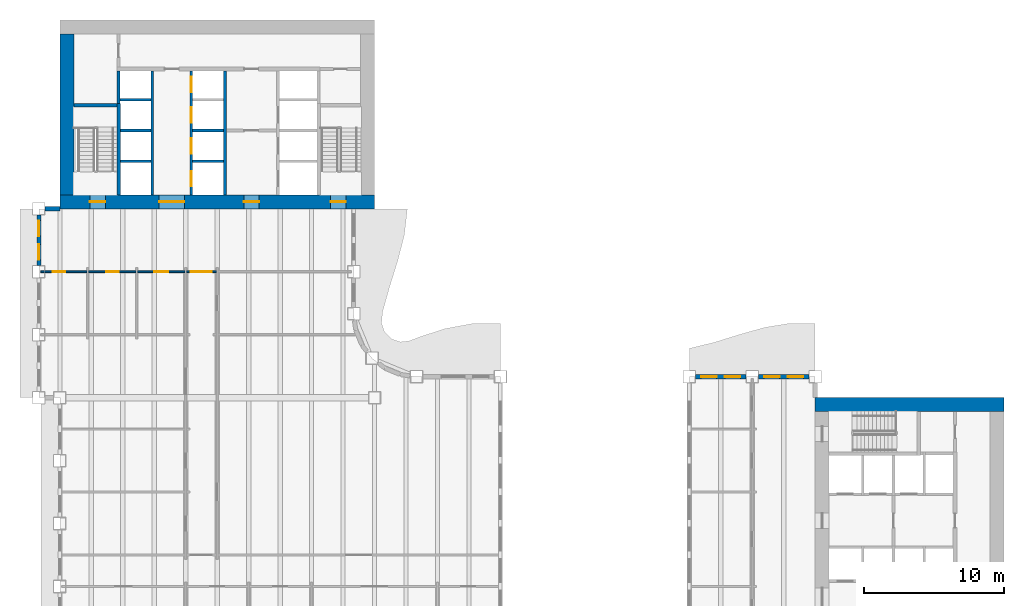
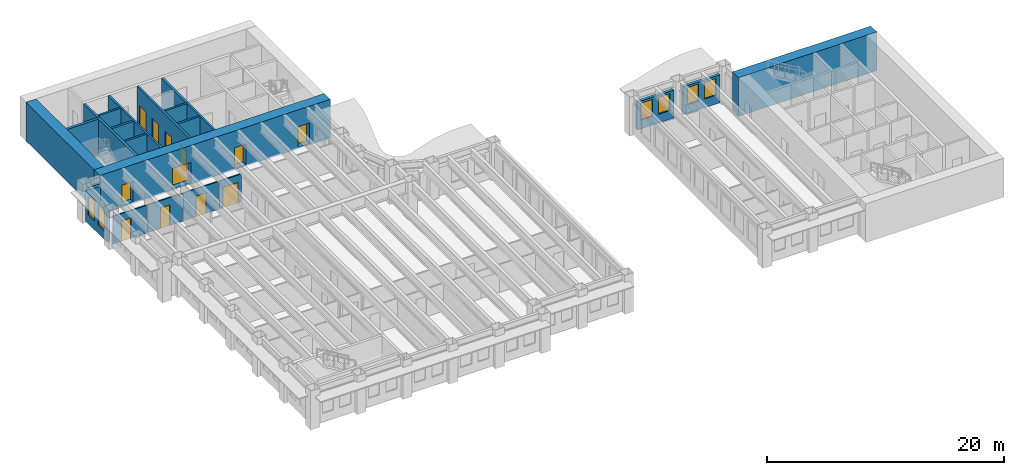
# One storey, part 7 of 13: 22 walls, 12 doors, 6 windows, 18 openings.
"""IFC4 building model written with IfcOpenShell, lengths in metres."""

import ifcopenshell
import ifcopenshell.guid

model = None  # the IFC model being written
_history = None  # IfcOwnerHistory: only IFC2X3 demands one
_inside = {}  # id of a spatial element -> (the spatial element, [elements in it])
_under = {}  # id of a project, library or spatial element -> (it, [spatial elements below it])
_declared = {}  # id of a project -> (the project, [libraries it declares])
_typed = {}  # id of a type object -> (the type object, [elements of that type])
_made_of = {}  # id of a material, layer set ... -> (it, [elements and type objects made of it])


def new_model(schema):
    """Start an empty IFC model of exactly this schema.

    Asked for "IFC4X3", IfcOpenShell would pick the latest addendum, in which some entities
    have other attributes; the version numbers below select the first issue.
    IFC2X3 requires an IfcOwnerHistory on every rooted entity: one is made here for all.
    """
    global model, _history
    if schema == "IFC4X3":
        model = ifcopenshell.file(schema_version=(4, 3, 0, 0))
    else:
        model = ifcopenshell.file(schema=schema)
    _inside.clear()
    _under.clear()
    _declared.clear()
    _typed.clear()
    _made_of.clear()
    _history = None
    if model.schema == "IFC2X3":
        org = make("IfcOrganization", Name="unknown")
        user = make(
            "IfcPersonAndOrganization",
            ThePerson=make("IfcPerson", FamilyName="unknown"),
            TheOrganization=org,
        )
        app = make(
            "IfcApplication",
            ApplicationDeveloper=org,
            Version="unknown",
            ApplicationFullName="unknown",
            ApplicationIdentifier="unknown",
        )
        _history = make(
            "IfcOwnerHistory",
            OwningUser=user,
            OwningApplication=app,
            ChangeAction="ADDED",
            CreationDate=0,
        )
    return model


def make(cls, **values):
    """One entity of the class cls with the attributes given. An attribute that is None is left unset."""
    return model.create_entity(
        cls, **{name: value for name, value in values.items() if value is not None}
    )


def rooted(cls, **values):
    """An entity with a GlobalId (a new one), such as an element, a storey or a relation."""
    return make(cls, GlobalId=ifcopenshell.guid.new(), OwnerHistory=_history, **values)


def si_unit(unit_type, name, prefix=None):
    """IfcSIUnit, for example si_unit("LENGTHUNIT", "METRE", prefix="MILLI")."""
    return make("IfcSIUnit", UnitType=unit_type, Prefix=prefix, Name=name)


def assignment(units):
    """IfcUnitAssignment: the units of a project."""
    return None if units is None else make("IfcUnitAssignment", Units=units)


def point(xyz):
    """IfcCartesianPoint."""
    return None if xyz is None else make("IfcCartesianPoint", Coordinates=xyz)


def direction(xyz):
    """IfcDirection."""
    return None if xyz is None else make("IfcDirection", DirectionRatios=xyz)


def frame(location, z_axis=None, x_axis=None):
    """IfcAxis2Placement3D, a coordinate frame: its origin and axes. An axis left out is left unset."""
    return make(
        "IfcAxis2Placement3D",
        Location=point(location),
        Axis=direction(z_axis),
        RefDirection=direction(x_axis),
    )


def frame_2d(location, x_axis=None):
    """IfcAxis2Placement2D, a coordinate frame in the plane: its origin and x axis."""
    return make(
        "IfcAxis2Placement2D", Location=point(location), RefDirection=direction(x_axis)
    )


def origin():
    """The frame at (0, 0, 0) with its axes left unset."""
    return frame((0.0, 0.0, 0.0))


def place(relative_to, where):
    """IfcLocalPlacement: puts the frame where relative to a parent placement (None: the world)."""
    return make(
        "IfcLocalPlacement", PlacementRelTo=relative_to, RelativePlacement=where
    )


def context(
    kind, dimensions, precision=None, world=None, true_north=None, identifier=None
):
    """IfcGeometricRepresentationContext, for example the 3D "Model" context."""
    return make(
        "IfcGeometricRepresentationContext",
        ContextIdentifier=identifier,
        ContextType=kind,
        CoordinateSpaceDimension=dimensions,
        Precision=precision,
        WorldCoordinateSystem=world,
        TrueNorth=true_north,
    )


def subcontext(parent, identifier, kind, view, scale=None):
    """IfcGeometricRepresentationSubContext, for example "Body" below "Model"."""
    return make(
        "IfcGeometricRepresentationSubContext",
        ContextIdentifier=identifier,
        ContextType=kind,
        ParentContext=parent,
        TargetScale=scale,
        TargetView=view,
    )


def project(units=None, contexts=None):
    """IfcProject with its units and contexts."""
    return rooted(
        "IfcProject",
        Name="project",
        RepresentationContexts=contexts,
        UnitsInContext=assignment(units),
    )


def spatial(cls, under=None, at=None, **own):
    """A site, building, storey or space (cls), placed at a placement, below another one or the project."""
    s = rooted(cls, ObjectPlacement=at, **own)
    if under is not None:
        _under.setdefault(under.id(), (under, []))[1].append(s)
    return s


def profile(cls, at=None, kind="AREA", **sizes):
    """A parametric profile (cls). Its sizes go by their IFC names, for example OverallWidth=200.0."""
    return make(cls, ProfileType=kind, Position=at, **sizes)


def rectangle(**sizes):
    """IfcRectangleProfileDef."""
    return profile("IfcRectangleProfileDef", **sizes)


def extrude(swept, where, along, depth):
    """IfcExtrudedAreaSolid: the profile swept, set in the frame where, extruded along a direction by depth."""
    return make(
        "IfcExtrudedAreaSolid",
        SweptArea=swept,
        Position=where,
        ExtrudedDirection=direction(along),
        Depth=depth,
    )


def shape(context_of_items, identifier, shape_type, items):
    """IfcShapeRepresentation: the items that make up one representation, for example the "Body"."""
    return make(
        "IfcShapeRepresentation",
        ContextOfItems=context_of_items,
        RepresentationIdentifier=identifier,
        RepresentationType=shape_type,
        Items=items,
    )


def material(Name=None, Category=None):
    """IfcMaterial."""
    return make("IfcMaterial", Name=Name, Category=Category)


def layer(
    of_material, thickness, ventilated=None, Name=None, Category=None, Priority=None
):
    """IfcMaterialLayer: one layer of a wall or slab, of a material (None: an air gap)."""
    return make(
        "IfcMaterialLayer",
        Material=of_material,
        LayerThickness=thickness,
        IsVentilated=ventilated,
        Name=Name,
        Category=Category,
        Priority=Priority,
    )


def layer_set(layers, Name=None):
    """IfcMaterialLayerSet."""
    return make("IfcMaterialLayerSet", MaterialLayers=layers, LayerSetName=Name)


def made_of(thing, what):
    """Note that an element or type object is made of a material, layer set ...; save() writes the relation."""
    if what is not None:
        _made_of.setdefault(what.id(), (what, []))[1].append(thing)
    return thing


def type_object(cls, material=None, **own):
    """A type object (cls), such as IfcWallType, which elements share."""
    return made_of(rooted(cls, **own), material)


def element(
    cls,
    number,
    at=None,
    inside=None,
    cuts=None,
    type_object=None,
    material=None,
    context=None,
    identifier="Body",
    shape_type=None,
    held_by="IfcProductDefinitionShape",
    body=None,
    shapes=None,
    **own,
):
    """One element of the class cls, such as IfcWall. Its Tag is "e" and its number.

    at: its placement. inside: the storey or other place that contains it. cuts: it is an
    opening in that element (IfcRelVoidsElement). A single representation is given by context,
    identifier, shape_type and body (its items); several are given by shapes. held_by: the class
    of the entity that holds the representations. save() writes the other relations.
    """
    e = rooted(cls, Tag="e%d" % number, ObjectPlacement=at, **own)
    if body is not None:
        shapes = [shape(context, identifier, shape_type, body)]
    if shapes is not None:
        e.Representation = make(held_by, Representations=shapes)
    if inside is not None:
        _inside.setdefault(inside.id(), (inside, []))[1].append(e)
    if cuts is not None:
        rooted(
            "IfcRelVoidsElement", RelatingBuildingElement=cuts, RelatedOpeningElement=e
        )
    if type_object is not None:
        _typed.setdefault(type_object.id(), (type_object, []))[1].append(e)
    return made_of(e, material)


def fill(opening, filler):
    """IfcRelFillsElement: the door or window that sits in an opening."""
    return rooted(
        "IfcRelFillsElement",
        RelatingOpeningElement=opening,
        RelatedBuildingElement=filler,
    )


def aggregate(whole, parts):
    """IfcRelAggregates: a whole, such as a stair, and the parts it consists of."""
    return rooted("IfcRelAggregates", RelatingObject=whole, RelatedObjects=parts)


def save(model, path):
    """Write the relations noted so far, then the file.

    IfcRelAggregates (storeys below a building ...), IfcRelContainedInSpatialStructure (elements
    in a storey), IfcRelDefinesByType, IfcRelAssociatesMaterial and IfcRelDeclares: one each for
    every whole, place, type object, material and project.
    """
    for whole, parts in _under.values():
        aggregate(whole, parts)
    for where, things in _inside.values():
        rooted(
            "IfcRelContainedInSpatialStructure",
            RelatedElements=things,
            RelatingStructure=where,
        )
    for kind, things in _typed.values():
        rooted("IfcRelDefinesByType", RelatedObjects=things, RelatingType=kind)
    for what, things in _made_of.values():
        rooted("IfcRelAssociatesMaterial", RelatedObjects=things, RelatingMaterial=what)
    for by, libraries in _declared.values():
        rooted("IfcRelDeclares", RelatingContext=by, RelatedDefinitions=libraries)
    model.write(path)


model = new_model("IFC4")

# Units and contexts
model_context = context("Model", 3, precision=1e-05, world=origin(), true_north=direction((0.0, 1.0)))
body_context = subcontext(model_context, "Body", "Model", "MODEL_VIEW")
ifc_project = project(units=[si_unit("LENGTHUNIT", "METRE"), si_unit("AREAUNIT", "SQUARE_METRE"), si_unit("VOLUMEUNIT", "CUBIC_METRE"), si_unit("PLANEANGLEUNIT", "RADIAN"), si_unit("MASSUNIT", "GRAM", prefix="KILO")], contexts=[model_context])

# Site, building, storey
site_placement = place(None, origin())
site = spatial("IfcSite", under=ifc_project, at=site_placement, CompositionType="ELEMENT")
building_placement = place(site_placement, origin())
building = spatial("IfcBuilding", under=site, at=building_placement, Name="Sennacour Bend Tower", CompositionType="ELEMENT")
storey_placement = place(building_placement, frame((0.0, 0.0, 139.0)))
storey = spatial("IfcBuildingStorey", under=building, at=storey_placement, Name="L31", CompositionType="ELEMENT", Elevation=139.0)

# Wall
ifc_material_1 = material(Name="Concrete C60/75", Category="concrete")
ifc_layer_1 = layer(ifc_material_1, 1.0, Name="Concrete C60/75", Category="concrete")
ifc_layer_set_1 = layer_set([ifc_layer_1], Name="Concrete C60/75")
wall_type_1 = type_object("IfcWallType", Name="Core wall 1000 C60/75", PredefinedType="SHEAR", material=ifc_layer_set_1)
wall_1_placement = place(storey_placement, frame((54.0, 22.0, -0.14990234375), z_axis=(0.0, 0.0, 1.0), x_axis=(1.0, 0.0, 0.0)))
element("IfcWall", 1, at=wall_1_placement, inside=storey, type_object=wall_type_1, Name="Core A wall L31 N", PredefinedType="SHEAR", context=body_context, shape_type="SweptSolid", body=[
    extrude(rectangle(XDim=13.5, YDim=1.0, at=frame_2d((6.75, 0.0))), origin(), (0.0, 0.0, 1.0), 4.0),
])

# Wall, openings, doors
wall_2_placement = place(storey_placement, frame((0.0, 36.5, -0.14990234375), z_axis=(0.0, 0.0, 1.0), x_axis=(1.0, 0.0, 0.0)))
wall_2 = element("IfcWall", 2, at=wall_2_placement, inside=storey, type_object=wall_type_1, Name="Core B wall L31 S", PredefinedType="SHEAR", context=body_context, shape_type="SweptSolid", body=[
    extrude(rectangle(XDim=22.5, YDim=1.0, at=frame_2d((11.25, 0.0))), origin(), (0.0, 0.0, 1.0), 4.0),
])
opening_1_placement = place(wall_2_placement, frame((7.10009765625, 0.0, 0.14990234375)))
opening_1 = element("IfcOpeningElement", 3, at=opening_1_placement, cuts=wall_2, Name="Opening CD", PredefinedType="OPENING", context=body_context, shape_type="SweptSolid", body=[
    extrude(rectangle(XDim=1.800048828125, YDim=2.10009765625, at=frame_2d((0.89990234375, 1.050048828125))), frame((0.0, 0.510009765625, 0.0), z_axis=(0.0, -1.0, 0.0), x_axis=(1.0, 0.0, 0.0)), (0.0, 0.0, 1.0), 1.02001953125),
])
opening_2_placement = place(wall_2_placement, frame((13.14990234375, 0.0, 0.14990234375)))
opening_2 = element("IfcOpeningElement", 4, at=opening_2_placement, cuts=wall_2, Name="Opening FD", PredefinedType="OPENING", context=body_context, shape_type="SweptSolid", body=[
    extrude(rectangle(XDim=1.10009765625, YDim=2.10009765625, at=frame_2d((0.550048828125, 1.050048828125))), frame((0.0, 0.510009765625, 0.0), z_axis=(0.0, -1.0, 0.0), x_axis=(1.0, 0.0, 0.0)), (0.0, 0.0, 1.0), 1.02001953125),
])
opening_3_placement = place(wall_2_placement, frame((2.14990234375, 0.0, 0.14990234375)))
opening_3 = element("IfcOpeningElement", 5, at=opening_3_placement, cuts=wall_2, Name="Opening SD", PredefinedType="OPENING", context=body_context, shape_type="SweptSolid", body=[
    extrude(rectangle(XDim=1.10009765625, YDim=2.10009765625, at=frame_2d((0.550048828125, 1.050048828125))), frame((0.0, 0.510009765625, 0.0), z_axis=(0.0, -1.0, 0.0), x_axis=(1.0, 0.0, 0.0)), (0.0, 0.0, 1.0), 1.02001953125),
])
opening_4_placement = place(wall_2_placement, frame((19.35009765625, 0.0, 0.14990234375)))
opening_4 = element("IfcOpeningElement", 6, at=opening_4_placement, cuts=wall_2, Name="Opening SD", PredefinedType="OPENING", context=body_context, shape_type="SweptSolid", body=[
    extrude(rectangle(XDim=1.10009765625, YDim=2.10009765625, at=frame_2d((0.550048828125, 1.050048828125))), frame((0.0, 0.510009765625, 0.0), z_axis=(0.0, -1.0, 0.0), x_axis=(1.0, 0.0, 0.0)), (0.0, 0.0, 1.0), 1.02001953125),
])
ifc_material_2 = material(Name="Painted steel", Category="steel")
door_type_1 = type_object("IfcDoorType", Name="DR-FFL-1100", OperationType="NOTDEFINED", PredefinedType="DOOR", material=ifc_material_2)
door_1_placement = place(opening_2_placement, origin())
door_1 = element("IfcDoor", 7, at=door_1_placement, inside=storey, type_object=door_type_1, Name="Door", OperationType="SINGLE_SWING_RIGHT", OverallHeight=2.10009765625, OverallWidth=1.10009765625, PredefinedType="DOOR", context=body_context, shape_type="SweptSolid", body=[
    extrude(rectangle(XDim=1.10009765625, YDim=2.10009765625, at=frame_2d((0.550048828125, 1.050048828125))), frame((0.0, 0.02490234375, 0.0), z_axis=(0.0, -1.0, 0.0), x_axis=(1.0, 0.0, 0.0)), (0.0, 0.0, 1.0), 0.050048828125),
])
fill(opening_2, door_1)
door_type_2 = type_object("IfcDoorType", Name="DR-LOBBY-1800", OperationType="NOTDEFINED", PredefinedType="DOOR", material=ifc_material_2)
door_2_placement = place(opening_1_placement, origin())
door_2 = element("IfcDoor", 8, at=door_2_placement, inside=storey, type_object=door_type_2, Name="Door", OperationType="DOUBLE_DOOR_SINGLE_SWING", OverallHeight=2.10009765625, OverallWidth=1.800048828125, PredefinedType="DOOR", context=body_context, shape_type="SweptSolid", body=[
    extrude(rectangle(XDim=1.800048828125, YDim=2.10009765625, at=frame_2d((0.89990234375, 1.050048828125))), frame((0.0, 0.02490234375, 0.0), z_axis=(0.0, -1.0, 0.0), x_axis=(1.0, 0.0, 0.0)), (0.0, 0.0, 1.0), 0.050048828125),
])
fill(opening_1, door_2)
door_type_3 = type_object("IfcDoorType", Name="DR-STAIR-1100", OperationType="NOTDEFINED", PredefinedType="DOOR", material=ifc_material_2)
door_3_placement = place(opening_3_placement, origin())
door_3 = element("IfcDoor", 9, at=door_3_placement, inside=storey, type_object=door_type_3, Name="Door", OperationType="SINGLE_SWING_LEFT", OverallHeight=2.10009765625, OverallWidth=1.10009765625, PredefinedType="DOOR", context=body_context, shape_type="SweptSolid", body=[
    extrude(rectangle(XDim=1.10009765625, YDim=2.10009765625, at=frame_2d((0.550048828125, 1.050048828125))), frame((0.0, 0.02490234375, 0.0), z_axis=(0.0, -1.0, 0.0), x_axis=(1.0, 0.0, 0.0)), (0.0, 0.0, 1.0), 0.050048828125),
])
fill(opening_3, door_3)
door_4_placement = place(opening_4_placement, origin())
door_4 = element("IfcDoor", 10, at=door_4_placement, inside=storey, type_object=door_type_3, Name="Door", OperationType="SINGLE_SWING_RIGHT", OverallHeight=2.10009765625, OverallWidth=1.10009765625, PredefinedType="DOOR", context=body_context, shape_type="SweptSolid", body=[
    extrude(rectangle(XDim=1.10009765625, YDim=2.10009765625, at=frame_2d((0.550048828125, 1.050048828125))), frame((0.0, 0.02490234375, 0.0), z_axis=(0.0, -1.0, 0.0), x_axis=(1.0, 0.0, 0.0)), (0.0, 0.0, 1.0), 0.050048828125),
])
fill(opening_4, door_4)

# Wall
wall_3_placement = place(storey_placement, frame((0.5, 37.0, -0.14990234375), z_axis=(0.0, 0.0, 1.0), x_axis=(0.0, 1.0, 0.0)))
element("IfcWall", 11, at=wall_3_placement, inside=storey, type_object=wall_type_1, Name="Core B wall L31 W", PredefinedType="SHEAR", context=body_context, shape_type="SweptSolid", body=[
    extrude(rectangle(XDim=11.5, YDim=1.0, at=frame_2d((5.75, 0.0))), origin(), (0.0, 0.0, 1.0), 4.0),
])

# Wall, opening, door
ifc_material_3 = material(Name="Plasterboard partition on steel studs", Category="steel")
ifc_layer_2 = layer(ifc_material_3, 0.1201171875, Name="Plasterboard partition on steel studs", Category="steel")
ifc_layer_set_2 = layer_set([ifc_layer_2], Name="Plasterboard partition on steel studs")
wall_type_2 = type_object("IfcWallType", Name="Partition 120", PredefinedType="PARTITIONING", material=ifc_layer_set_2)
wall_4_placement = place(storey_placement, frame((-1.35009765625, 31.5, 0.0), z_axis=(0.0, 0.0, 1.0), x_axis=(1.0, 0.0, 0.0)))
wall_4 = element("IfcWall", 12, at=wall_4_placement, inside=storey, type_object=wall_type_2, Name="P-L31-W069aa", PredefinedType="PARTITIONING", context=body_context, shape_type="SweptSolid", body=[
    extrude(rectangle(XDim=3.2900390625, YDim=0.1201171875, at=frame_2d((1.64501953125, 0.0))), origin(), (0.0, 0.0, 1.0), 2.8701171875),
])
opening_5_placement = place(wall_4_placement, frame((0.85009765625, 0.0, 0.0)))
opening_5 = element("IfcOpeningElement", 13, at=opening_5_placement, cuts=wall_4, Name="Opening WD", PredefinedType="OPENING", context=body_context, shape_type="SweptSolid", body=[
    extrude(rectangle(XDim=0.89990234375, YDim=2.10009765625, at=frame_2d((0.449951171875, 1.050048828125))), frame((0.0, 0.070068359375, 0.0), z_axis=(0.0, -1.0, 0.0), x_axis=(1.0, 0.0, 0.0)), (0.0, 0.0, 1.0), 0.14013671875),
])
ifc_material_4 = material(Name="Timber", Category="wood")
door_type_4 = type_object("IfcDoorType", Name="DR-WC-900", OperationType="NOTDEFINED", PredefinedType="DOOR", material=ifc_material_4)
door_5_placement = place(opening_5_placement, origin())
door_5 = element("IfcDoor", 14, at=door_5_placement, inside=storey, type_object=door_type_4, Name="Door", OperationType="SINGLE_SWING_LEFT", OverallHeight=2.10009765625, OverallWidth=0.89990234375, PredefinedType="DOOR", context=body_context, shape_type="SweptSolid", body=[
    extrude(rectangle(XDim=0.89990234375, YDim=2.10009765625, at=frame_2d((0.449951171875, 1.050048828125))), frame((0.0, 0.02490234375, 0.0), z_axis=(0.0, -1.0, 0.0), x_axis=(1.0, 0.0, 0.0)), (0.0, 0.0, 1.0), 0.050048828125),
])
fill(opening_5, door_5)

wall_5_placement = place(storey_placement, frame((2.06005859375, 31.5, 0.0), z_axis=(0.0, 0.0, 1.0), x_axis=(1.0, 0.0, 0.0)))
wall_5 = element("IfcWall", 15, at=wall_5_placement, inside=storey, type_object=wall_type_2, Name="P-L31-W069ab", PredefinedType="PARTITIONING", context=body_context, shape_type="SweptSolid", body=[
    extrude(rectangle(XDim=3.3798828125, YDim=0.1201171875, at=frame_2d((1.68994140625, 0.0))), origin(), (0.0, 0.0, 1.0), 2.8701171875),
])
opening_6_placement = place(wall_5_placement, frame((1.239990234375, 0.0, 0.0)))
opening_6 = element("IfcOpeningElement", 16, at=opening_6_placement, cuts=wall_5, Name="Opening WD", PredefinedType="OPENING", context=body_context, shape_type="SweptSolid", body=[
    extrude(rectangle(XDim=0.89990234375, YDim=2.10009765625, at=frame_2d((0.449951171875, 1.050048828125))), frame((0.0, 0.070068359375, 0.0), z_axis=(0.0, -1.0, 0.0), x_axis=(1.0, 0.0, 0.0)), (0.0, 0.0, 1.0), 0.14013671875),
])
door_6_placement = place(opening_6_placement, origin())
door_6 = element("IfcDoor", 17, at=door_6_placement, inside=storey, type_object=door_type_4, Name="Door", OperationType="SINGLE_SWING_LEFT", OverallHeight=2.10009765625, OverallWidth=0.89990234375, PredefinedType="DOOR", context=body_context, shape_type="SweptSolid", body=[
    extrude(rectangle(XDim=0.89990234375, YDim=2.10009765625, at=frame_2d((0.449951171875, 1.050048828125))), frame((0.0, 0.02490234375, 0.0), z_axis=(0.0, -1.0, 0.0), x_axis=(1.0, 0.0, 0.0)), (0.0, 0.0, 1.0), 0.050048828125),
])
fill(opening_6, door_6)

wall_6_placement = place(storey_placement, frame((5.56005859375, 31.5, 0.0), z_axis=(0.0, 0.0, 1.0), x_axis=(1.0, 0.0, 0.0)))
wall_6 = element("IfcWall", 18, at=wall_6_placement, inside=storey, type_object=wall_type_2, Name="P-L31-W069ac", PredefinedType="PARTITIONING", context=body_context, shape_type="SweptSolid", body=[
    extrude(rectangle(XDim=3.3798828125, YDim=0.1201171875, at=frame_2d((1.68994140625, 0.0))), origin(), (0.0, 0.0, 1.0), 2.8701171875),
])
opening_7_placement = place(wall_6_placement, frame((1.18994140625, 0.0, 0.0)))
opening_7 = element("IfcOpeningElement", 19, at=opening_7_placement, cuts=wall_6, Name="Opening AD", PredefinedType="OPENING", context=body_context, shape_type="SweptSolid", body=[
    extrude(rectangle(XDim=1.0, YDim=2.10009765625, at=frame_2d((0.5, 1.050048828125))), frame((0.0, 0.070068359375, 0.0), z_axis=(0.0, -1.0, 0.0), x_axis=(1.0, 0.0, 0.0)), (0.0, 0.0, 1.0), 0.14013671875),
])
door_type_5 = type_object("IfcDoorType", Name="DR-ACC-WC-1000", OperationType="NOTDEFINED", PredefinedType="DOOR", material=ifc_material_4)
door_7_placement = place(opening_7_placement, origin())
door_7 = element("IfcDoor", 20, at=door_7_placement, inside=storey, type_object=door_type_5, Name="Door", OperationType="SINGLE_SWING_LEFT", OverallHeight=2.10009765625, OverallWidth=1.0, PredefinedType="DOOR", context=body_context, shape_type="SweptSolid", body=[
    extrude(rectangle(XDim=1.0, YDim=2.10009765625, at=frame_2d((0.5, 1.050048828125))), frame((0.0, 0.02490234375, 0.0), z_axis=(0.0, -1.0, 0.0), x_axis=(1.0, 0.0, 0.0)), (0.0, 0.0, 1.0), 0.050048828125),
])
fill(opening_7, door_7)

ifc_layer_3 = layer(ifc_material_3, 0.1201171875, Name="Plasterboard partition on steel studs", Category="steel")
ifc_layer_set_3 = layer_set([ifc_layer_3], Name="Plasterboard partition on steel studs")
wall_type_3 = type_object("IfcWallType", Name="Partition 120 EI 30", PredefinedType="PARTITIONING", material=ifc_layer_set_3)
wall_7_placement = place(storey_placement, frame((9.06005859375, 31.5, 0.0), z_axis=(0.0, 0.0, 1.0), x_axis=(1.0, 0.0, 0.0)))
wall_7 = element("IfcWall", 21, at=wall_7_placement, inside=storey, type_object=wall_type_3, Name="P-L31-W069ad", PredefinedType="PARTITIONING", context=body_context, shape_type="SweptSolid", body=[
    extrude(rectangle(XDim=2.1298828125, YDim=0.1201171875, at=frame_2d((1.06494140625, 0.0))), origin(), (0.0, 0.0, 1.0), 2.8701171875),
])
opening_8_placement = place(wall_7_placement, frame((0.31494140625, 0.0, 0.0)))
opening_8 = element("IfcOpeningElement", 22, at=opening_8_placement, cuts=wall_7, Name="Opening KD", PredefinedType="OPENING", context=body_context, shape_type="SweptSolid", body=[
    extrude(rectangle(XDim=1.5, YDim=2.10009765625, at=frame_2d((0.75, 1.050048828125))), frame((0.0, 0.070068359375, 0.0), z_axis=(0.0, -1.0, 0.0), x_axis=(1.0, 0.0, 0.0)), (0.0, 0.0, 1.0), 0.14013671875),
])
door_type_6 = type_object("IfcDoorType", Name="DR-CORRIDOR-1500", OperationType="NOTDEFINED", PredefinedType="DOOR", material=ifc_material_2)
door_8_placement = place(opening_8_placement, origin())
door_8 = element("IfcDoor", 23, at=door_8_placement, inside=storey, type_object=door_type_6, Name="Door", OperationType="SINGLE_SWING_LEFT", OverallHeight=2.10009765625, OverallWidth=1.5, PredefinedType="DOOR", context=body_context, shape_type="SweptSolid", body=[
    extrude(rectangle(XDim=1.5, YDim=2.10009765625, at=frame_2d((0.75, 1.050048828125))), frame((0.0, 0.02490234375, 0.0), z_axis=(0.0, -1.0, 0.0), x_axis=(1.0, 0.0, 0.0)), (0.0, 0.0, 1.0), 0.050048828125),
])
fill(opening_8, door_8)

# Wall, openings, windows
ifc_material_5 = material(Name="Warm limestone cladding", Category="masonry")
ifc_layer_4 = layer(ifc_material_5, 0.050048828125, Name="Warm limestone cladding", Category="masonry")
ifc_material_6 = material(Name="Precast concrete C40/50", Category="concrete")
ifc_layer_5 = layer(ifc_material_6, 0.25, Name="Precast concrete C40/50", Category="concrete")
ifc_layer_set_4 = layer_set([ifc_layer_4, ifc_layer_5], Name="Precast concrete C40/50 with limestone cladding")
wall_type_4 = type_object("IfcWallType", Name="STONE-CLAD PRECAST SPANDREL 300", PredefinedType="STANDARD", material=ifc_layer_set_4)
wall_8_placement = place(storey_placement, frame((53.550048828125, 24.0, 0.0), z_axis=(0.0, 0.0, 1.0), x_axis=(-1.0, 0.0, 0.0)))
wall_8 = element("IfcWall", 24, at=wall_8_placement, inside=storey, type_object=wall_type_4, Name="Stone spandrel and pier wall L31 06.00", PredefinedType="STANDARD", context=body_context, shape_type="SweptSolid", body=[
    extrude(rectangle(XDim=3.60009765625, YDim=0.300048828125, at=frame_2d((1.800048828125, 0.0))), origin(), (0.0, 0.0, 1.0), 2.8701171875),
])
opening_9_placement = place(wall_8_placement, frame((0.39990234375, 0.0, 0.89990234375)))
opening_9 = element("IfcOpeningElement", 25, at=opening_9_placement, cuts=wall_8, Name="Opening W17", PredefinedType="OPENING", context=body_context, shape_type="SweptSolid", body=[
    extrude(rectangle(XDim=1.10009765625, YDim=1.75, at=frame_2d((0.550048828125, 0.875))), frame((0.0, 0.16015625, 0.0), z_axis=(0.0, -1.0, 0.0), x_axis=(1.0, 0.0, 0.0)), (0.0, 0.0, 1.0), 0.320068359375),
])
opening_10_placement = place(wall_8_placement, frame((2.10009765625, 0.0, 0.89990234375)))
opening_10 = element("IfcOpeningElement", 26, at=opening_10_placement, cuts=wall_8, Name="Opening W17", PredefinedType="OPENING", context=body_context, shape_type="SweptSolid", body=[
    extrude(rectangle(XDim=1.10009765625, YDim=1.75, at=frame_2d((0.550048828125, 0.875))), frame((0.0, 0.16015625, 0.0), z_axis=(0.0, -1.0, 0.0), x_axis=(1.0, 0.0, 0.0)), (0.0, 0.0, 1.0), 0.320068359375),
])
ifc_material_7 = material(Name="Clear low-emissivity glass", Category="glass")
window_type_1 = type_object("IfcWindowType", Name="WIN-RIBBON-1100x1750", PartitioningType="SINGLE_PANEL", PredefinedType="WINDOW", material=ifc_material_7)
window_1_placement = place(opening_9_placement, origin())
window_1 = element("IfcWindow", 27, at=window_1_placement, inside=storey, type_object=window_type_1, Name="Ribbon window L31 06.00.0", OverallHeight=1.75, OverallWidth=1.10009765625, PartitioningType="SINGLE_PANEL", PredefinedType="WINDOW", context=body_context, shape_type="SweptSolid", body=[
    extrude(rectangle(XDim=1.10009765625, YDim=1.75, at=frame_2d((0.550048828125, 0.875))), frame((0.0, 0.030029296875, 0.0), z_axis=(0.0, -1.0, 0.0), x_axis=(1.0, 0.0, 0.0)), (0.0, 0.0, 1.0), 0.06005859375),
])
fill(opening_9, window_1)
window_2_placement = place(opening_10_placement, origin())
window_2 = element("IfcWindow", 28, at=window_2_placement, inside=storey, type_object=window_type_1, Name="Ribbon window L31 06.00.1", OverallHeight=1.75, OverallWidth=1.10009765625, PartitioningType="SINGLE_PANEL", PredefinedType="WINDOW", context=body_context, shape_type="SweptSolid", body=[
    extrude(rectangle(XDim=1.10009765625, YDim=1.75, at=frame_2d((0.550048828125, 0.875))), frame((0.0, 0.030029296875, 0.0), z_axis=(0.0, -1.0, 0.0), x_axis=(1.0, 0.0, 0.0)), (0.0, 0.0, 1.0), 0.06005859375),
])
fill(opening_10, window_2)

wall_9_placement = place(storey_placement, frame((49.050048828125, 24.0, 0.0), z_axis=(0.0, 0.0, 1.0), x_axis=(-1.0, 0.0, 0.0)))
wall_9 = element("IfcWall", 29, at=wall_9_placement, inside=storey, type_object=wall_type_4, Name="Stone spandrel and pier wall L31 06.01", PredefinedType="STANDARD", context=body_context, shape_type="SweptSolid", body=[
    extrude(rectangle(XDim=3.60009765625, YDim=0.300048828125, at=frame_2d((1.800048828125, 0.0))), origin(), (0.0, 0.0, 1.0), 2.8701171875),
])
opening_11_placement = place(wall_9_placement, frame((0.39990234375, 0.0, 0.89990234375)))
opening_11 = element("IfcOpeningElement", 30, at=opening_11_placement, cuts=wall_9, Name="Opening W17", PredefinedType="OPENING", context=body_context, shape_type="SweptSolid", body=[
    extrude(rectangle(XDim=1.10009765625, YDim=1.75, at=frame_2d((0.550048828125, 0.875))), frame((0.0, 0.16015625, 0.0), z_axis=(0.0, -1.0, 0.0), x_axis=(1.0, 0.0, 0.0)), (0.0, 0.0, 1.0), 0.320068359375),
])
opening_12_placement = place(wall_9_placement, frame((2.10009765625, 0.0, 0.89990234375)))
opening_12 = element("IfcOpeningElement", 31, at=opening_12_placement, cuts=wall_9, Name="Opening W17", PredefinedType="OPENING", context=body_context, shape_type="SweptSolid", body=[
    extrude(rectangle(XDim=1.10009765625, YDim=1.75, at=frame_2d((0.550048828125, 0.875))), frame((0.0, 0.16015625, 0.0), z_axis=(0.0, -1.0, 0.0), x_axis=(1.0, 0.0, 0.0)), (0.0, 0.0, 1.0), 0.320068359375),
])
window_3_placement = place(opening_11_placement, origin())
window_3 = element("IfcWindow", 32, at=window_3_placement, inside=storey, type_object=window_type_1, Name="Ribbon window L31 06.01.0", OverallHeight=1.75, OverallWidth=1.10009765625, PartitioningType="SINGLE_PANEL", PredefinedType="WINDOW", context=body_context, shape_type="SweptSolid", body=[
    extrude(rectangle(XDim=1.10009765625, YDim=1.75, at=frame_2d((0.550048828125, 0.875))), frame((0.0, 0.030029296875, 0.0), z_axis=(0.0, -1.0, 0.0), x_axis=(1.0, 0.0, 0.0)), (0.0, 0.0, 1.0), 0.06005859375),
])
fill(opening_11, window_3)
window_4_placement = place(opening_12_placement, origin())
window_4 = element("IfcWindow", 33, at=window_4_placement, inside=storey, type_object=window_type_1, Name="Ribbon window L31 06.01.1", OverallHeight=1.75, OverallWidth=1.10009765625, PartitioningType="SINGLE_PANEL", PredefinedType="WINDOW", context=body_context, shape_type="SweptSolid", body=[
    extrude(rectangle(XDim=1.10009765625, YDim=1.75, at=frame_2d((0.550048828125, 0.875))), frame((0.0, 0.030029296875, 0.0), z_axis=(0.0, -1.0, 0.0), x_axis=(1.0, 0.0, 0.0)), (0.0, 0.0, 1.0), 0.06005859375),
])
fill(opening_12, window_4)

# Wall
wall_10_placement = place(storey_placement, frame((0.0, 36.0, 0.0), z_axis=(0.0, 0.0, 1.0), x_axis=(-1.0, 0.0, 0.0)))
element("IfcWall", 34, at=wall_10_placement, inside=storey, type_object=wall_type_4, Name="Stone spandrel and pier wall L31 20.00", PredefinedType="STANDARD", context=body_context, shape_type="SweptSolid", body=[
    extrude(rectangle(XDim=1.050048828125, YDim=0.300048828125, at=frame_2d((0.52490234375, 0.0))), origin(), (0.0, 0.0, 1.0), 2.8701171875),
])

# Wall, openings, windows
wall_11_placement = place(storey_placement, frame((-1.5, 35.550048828125, 0.0), z_axis=(0.0, 0.0, 1.0), x_axis=(0.0, -1.0, 0.0)))
wall_11 = element("IfcWall", 35, at=wall_11_placement, inside=storey, type_object=wall_type_4, Name="Stone spandrel and pier wall L31 21.00", PredefinedType="STANDARD", context=body_context, shape_type="SweptSolid", body=[
    extrude(rectangle(XDim=3.60009765625, YDim=0.300048828125, at=frame_2d((1.800048828125, 0.0))), origin(), (0.0, 0.0, 1.0), 3.14892578125),
])
opening_13_placement = place(wall_11_placement, frame((0.39990234375, 0.0, 0.89990234375)))
opening_13 = element("IfcOpeningElement", 36, at=opening_13_placement, cuts=wall_11, Name="Opening W19", PredefinedType="OPENING", context=body_context, shape_type="SweptSolid", body=[
    extrude(rectangle(XDim=1.10009765625, YDim=2.0, at=frame_2d((0.550048828125, 1.0))), frame((0.0, 0.16015625, 0.0), z_axis=(0.0, -1.0, 0.0), x_axis=(1.0, 0.0, 0.0)), (0.0, 0.0, 1.0), 0.320068359375),
])
opening_14_placement = place(wall_11_placement, frame((2.10009765625, 0.0, 0.89990234375)))
opening_14 = element("IfcOpeningElement", 37, at=opening_14_placement, cuts=wall_11, Name="Opening W19", PredefinedType="OPENING", context=body_context, shape_type="SweptSolid", body=[
    extrude(rectangle(XDim=1.10009765625, YDim=2.0, at=frame_2d((0.550048828125, 1.0))), frame((0.0, 0.16015625, 0.0), z_axis=(0.0, -1.0, 0.0), x_axis=(1.0, 0.0, 0.0)), (0.0, 0.0, 1.0), 0.320068359375),
])
window_type_2 = type_object("IfcWindowType", Name="WIN-RIBBON-1100x2000", PartitioningType="SINGLE_PANEL", PredefinedType="WINDOW", material=ifc_material_7)
window_5_placement = place(opening_13_placement, origin())
window_5 = element("IfcWindow", 38, at=window_5_placement, inside=storey, type_object=window_type_2, Name="Ribbon window L31 21.00.0", OverallHeight=2.0, OverallWidth=1.10009765625, PartitioningType="SINGLE_PANEL", PredefinedType="WINDOW", context=body_context, shape_type="SweptSolid", body=[
    extrude(rectangle(XDim=1.10009765625, YDim=2.0, at=frame_2d((0.550048828125, 1.0))), frame((0.0, 0.030029296875, 0.0), z_axis=(0.0, -1.0, 0.0), x_axis=(1.0, 0.0, 0.0)), (0.0, 0.0, 1.0), 0.06005859375),
])
fill(opening_13, window_5)
window_6_placement = place(opening_14_placement, origin())
window_6 = element("IfcWindow", 39, at=window_6_placement, inside=storey, type_object=window_type_2, Name="Ribbon window L31 21.00.1", OverallHeight=2.0, OverallWidth=1.10009765625, PartitioningType="SINGLE_PANEL", PredefinedType="WINDOW", context=body_context, shape_type="SweptSolid", body=[
    extrude(rectangle(XDim=1.10009765625, YDim=2.0, at=frame_2d((0.550048828125, 1.0))), frame((0.0, 0.030029296875, 0.0), z_axis=(0.0, -1.0, 0.0), x_axis=(1.0, 0.0, 0.0)), (0.0, 0.0, 1.0), 0.06005859375),
])
fill(opening_14, window_6)

# Walls
ifc_material_8 = material(Name="Concrete C50/60", Category="concrete")
ifc_layer_6 = layer(ifc_material_8, 0.199951171875, Name="Concrete C50/60", Category="concrete")
ifc_layer_set_5 = layer_set([ifc_layer_6], Name="Concrete C50/60")
wall_type_5 = type_object("IfcWallType", Name="Shaft wall 200", PredefinedType="SOLIDWALL", material=ifc_layer_set_5)
wall_12_placement = place(storey_placement, frame((4.199951171875, 43.52490234375, 0.0), z_axis=(0.0, 0.0, 1.0), x_axis=(0.0, 1.0, 0.0)))
element("IfcWall", 40, at=wall_12_placement, inside=storey, type_object=wall_type_5, Name="P-L31-W006", PredefinedType="SOLIDWALL", context=body_context, shape_type="SweptSolid", body=[
    extrude(rectangle(XDim=2.3251953125, YDim=0.199951171875, at=frame_2d((1.16259765625, 0.0))), origin(), (0.0, 0.0, 1.0), 3.85009765625),
])
wall_13_placement = place(storey_placement, frame((6.60009765625, 37.0, 0.0), z_axis=(0.0, 0.0, 1.0), x_axis=(0.0, 1.0, 0.0)))
element("IfcWall", 41, at=wall_13_placement, inside=storey, type_object=wall_type_5, Name="P-L31-W009", PredefinedType="SOLIDWALL", context=body_context, shape_type="SweptSolid", body=[
    extrude(rectangle(XDim=8.85009765625, YDim=0.199951171875, at=frame_2d((4.425048828125, 0.0))), origin(), (0.0, 0.0, 1.0), 3.85009765625),
])

# Wall, openings, doors
wall_14_placement = place(storey_placement, frame((9.39990234375, 37.0, 0.0), z_axis=(0.0, 0.0, 1.0), x_axis=(0.0, 1.0, 0.0)))
wall_14 = element("IfcWall", 42, at=wall_14_placement, inside=storey, type_object=wall_type_5, Name="P-L31-W014", PredefinedType="SOLIDWALL", context=body_context, shape_type="SweptSolid", body=[
    extrude(rectangle(XDim=8.85009765625, YDim=0.199951171875, at=frame_2d((4.425048828125, 0.0))), origin(), (0.0, 0.0, 1.0), 3.85009765625),
])
opening_15_placement = place(wall_14_placement, frame((0.60009765625, 0.0, 0.011962890625)))
opening_15 = element("IfcOpeningElement", 43, at=opening_15_placement, cuts=wall_14, Name="Opening LD", PredefinedType="OPENING", context=body_context, shape_type="SweptSolid", body=[
    extrude(rectangle(XDim=1.10009765625, YDim=2.10009765625, at=frame_2d((0.550048828125, 1.050048828125))), frame((0.0, 0.10986328125, 0.0), z_axis=(0.0, -1.0, 0.0), x_axis=(1.0, 0.0, 0.0)), (0.0, 0.0, 1.0), 0.219970703125),
])
opening_16_placement = place(wall_14_placement, frame((2.949951171875, 0.0, 0.011962890625)))
opening_16 = element("IfcOpeningElement", 44, at=opening_16_placement, cuts=wall_14, Name="Opening LD", PredefinedType="OPENING", context=body_context, shape_type="SweptSolid", body=[
    extrude(rectangle(XDim=1.10009765625, YDim=2.10009765625, at=frame_2d((0.550048828125, 1.050048828125))), frame((0.0, 0.10986328125, 0.0), z_axis=(0.0, -1.0, 0.0), x_axis=(1.0, 0.0, 0.0)), (0.0, 0.0, 1.0), 0.219970703125),
])
opening_17_placement = place(wall_14_placement, frame((5.14990234375, 0.0, 0.011962890625)))
opening_17 = element("IfcOpeningElement", 45, at=opening_17_placement, cuts=wall_14, Name="Opening LD", PredefinedType="OPENING", context=body_context, shape_type="SweptSolid", body=[
    extrude(rectangle(XDim=1.10009765625, YDim=2.10009765625, at=frame_2d((0.550048828125, 1.050048828125))), frame((0.0, 0.10986328125, 0.0), z_axis=(0.0, -1.0, 0.0), x_axis=(1.0, 0.0, 0.0)), (0.0, 0.0, 1.0), 0.219970703125),
])
opening_18_placement = place(wall_14_placement, frame((7.324951171875, 0.0, 0.011962890625)))
opening_18 = element("IfcOpeningElement", 46, at=opening_18_placement, cuts=wall_14, Name="Opening LD", PredefinedType="OPENING", context=body_context, shape_type="SweptSolid", body=[
    extrude(rectangle(XDim=1.10009765625, YDim=2.10009765625, at=frame_2d((0.550048828125, 1.050048828125))), frame((0.0, 0.10986328125, 0.0), z_axis=(0.0, -1.0, 0.0), x_axis=(1.0, 0.0, 0.0)), (0.0, 0.0, 1.0), 0.219970703125),
])
ifc_material_9 = material(Name="Stainless steel", Category="steel")
door_type_7 = type_object("IfcDoorType", Name="DR-LANDING-1100", OperationType="NOTDEFINED", PredefinedType="DOOR", material=ifc_material_9)
door_9_placement = place(opening_15_placement, origin())
door_9 = element("IfcDoor", 47, at=door_9_placement, inside=storey, type_object=door_type_7, Name="Lift landing door MB1", OperationType="SLIDING_TO_LEFT", OverallHeight=2.10009765625, OverallWidth=1.10009765625, PredefinedType="DOOR", context=body_context, shape_type="SweptSolid", body=[
    extrude(rectangle(XDim=1.10009765625, YDim=2.10009765625, at=frame_2d((0.550048828125, 1.050048828125))), frame((0.0, 0.02490234375, 0.0), z_axis=(0.0, -1.0, 0.0), x_axis=(1.0, 0.0, 0.0)), (0.0, 0.0, 1.0), 0.050048828125),
])
fill(opening_15, door_9)
door_10_placement = place(opening_16_placement, origin())
door_10 = element("IfcDoor", 48, at=door_10_placement, inside=storey, type_object=door_type_7, Name="Lift landing door MB2", OperationType="SLIDING_TO_RIGHT", OverallHeight=2.10009765625, OverallWidth=1.10009765625, PredefinedType="DOOR", context=body_context, shape_type="SweptSolid", body=[
    extrude(rectangle(XDim=1.10009765625, YDim=2.10009765625, at=frame_2d((0.550048828125, 1.050048828125))), frame((0.0, 0.02490234375, 0.0), z_axis=(0.0, -1.0, 0.0), x_axis=(1.0, 0.0, 0.0)), (0.0, 0.0, 1.0), 0.050048828125),
])
fill(opening_16, door_10)
door_11_placement = place(opening_17_placement, origin())
door_11 = element("IfcDoor", 49, at=door_11_placement, inside=storey, type_object=door_type_7, Name="Lift landing door MB3", OperationType="SLIDING_TO_LEFT", OverallHeight=2.10009765625, OverallWidth=1.10009765625, PredefinedType="DOOR", context=body_context, shape_type="SweptSolid", body=[
    extrude(rectangle(XDim=1.10009765625, YDim=2.10009765625, at=frame_2d((0.550048828125, 1.050048828125))), frame((0.0, 0.02490234375, 0.0), z_axis=(0.0, -1.0, 0.0), x_axis=(1.0, 0.0, 0.0)), (0.0, 0.0, 1.0), 0.050048828125),
])
fill(opening_17, door_11)
door_12_placement = place(opening_18_placement, origin())
door_12 = element("IfcDoor", 50, at=door_12_placement, inside=storey, type_object=door_type_7, Name="Lift landing door MB4", OperationType="SLIDING_TO_RIGHT", OverallHeight=2.10009765625, OverallWidth=1.10009765625, PredefinedType="DOOR", context=body_context, shape_type="SweptSolid", body=[
    extrude(rectangle(XDim=1.10009765625, YDim=2.10009765625, at=frame_2d((0.550048828125, 1.050048828125))), frame((0.0, 0.02490234375, 0.0), z_axis=(0.0, -1.0, 0.0), x_axis=(1.0, 0.0, 0.0)), (0.0, 0.0, 1.0), 0.050048828125),
])
fill(opening_18, door_12)

# Walls
wall_15_placement = place(storey_placement, frame((11.800048828125, 37.0, 0.0), z_axis=(0.0, 0.0, 1.0), x_axis=(0.0, 1.0, 0.0)))
element("IfcWall", 51, at=wall_15_placement, inside=storey, type_object=wall_type_5, Name="P-L31-W016", PredefinedType="SOLIDWALL", context=body_context, shape_type="SweptSolid", body=[
    extrude(rectangle(XDim=8.85009765625, YDim=0.199951171875, at=frame_2d((4.425048828125, 0.0))), origin(), (0.0, 0.0, 1.0), 3.85009765625),
])
wall_16_placement = place(storey_placement, frame((4.324951171875, 39.39990234375, 0.0), z_axis=(0.0, 0.0, 1.0), x_axis=(1.0, 0.0, 0.0)))
element("IfcWall", 52, at=wall_16_placement, inside=storey, type_object=wall_type_5, Name="P-L31-W071", PredefinedType="SOLIDWALL", context=body_context, shape_type="SweptSolid", body=[
    extrude(rectangle(XDim=2.175048828125, YDim=0.199951171875, at=frame_2d((1.08740234375, 0.0))), origin(), (0.0, 0.0, 1.0), 3.85009765625),
])
wall_17_placement = place(storey_placement, frame((9.5, 39.39990234375, 0.0), z_axis=(0.0, 0.0, 1.0), x_axis=(1.0, 0.0, 0.0)))
element("IfcWall", 53, at=wall_17_placement, inside=storey, type_object=wall_type_5, Name="P-L31-W072", PredefinedType="SOLIDWALL", context=body_context, shape_type="SweptSolid", body=[
    extrude(rectangle(XDim=2.199951171875, YDim=0.199951171875, at=frame_2d((1.10009765625, 0.0))), origin(), (0.0, 0.0, 1.0), 3.85009765625),
])
wall_18_placement = place(storey_placement, frame((4.324951171875, 41.60009765625, 0.0), z_axis=(0.0, 0.0, 1.0), x_axis=(1.0, 0.0, 0.0)))
element("IfcWall", 54, at=wall_18_placement, inside=storey, type_object=wall_type_5, Name="P-L31-W074", PredefinedType="SOLIDWALL", context=body_context, shape_type="SweptSolid", body=[
    extrude(rectangle(XDim=2.175048828125, YDim=0.199951171875, at=frame_2d((1.08740234375, 0.0))), origin(), (0.0, 0.0, 1.0), 3.85009765625),
])
for number, where, z_axis, x_axis, name in (
    (55, (9.5, 41.60009765625, 0.0), (0.0, 0.0, 1.0), (1.0, 0.0, 0.0), "P-L31-W075"),
    (56, (4.300048828125, 43.800048828125, 0.0), (0.0, 0.0, 1.0), (1.0, 0.0, 0.0), "P-L31-W080"),
):
    element("IfcWall", number, at=place(storey_placement, frame(where, z_axis=z_axis, x_axis=x_axis)), inside=storey, type_object=wall_type_5, Name=name, PredefinedType="SOLIDWALL", context=body_context, shape_type="SweptSolid", body=[
        extrude(rectangle(XDim=2.199951171875, YDim=0.199951171875, at=frame_2d((1.10009765625, 0.0))), origin(), (0.0, 0.0, 1.0), 3.85009765625),
    ])
ifc_layer_7 = layer(ifc_material_1, 0.25, Name="Concrete C60/75", Category="concrete")
ifc_layer_set_6 = layer_set([ifc_layer_7], Name="Concrete C60/75")
wall_type_6 = type_object("IfcWallType", Name="Stair wall 250", PredefinedType="SHEAR", material=ifc_layer_set_6)
wall_19_placement = place(storey_placement, frame((4.199951171875, 37.0, 0.0), z_axis=(0.0, 0.0, 1.0), x_axis=(0.0, 1.0, 0.0)))
element("IfcWall", 57, at=wall_19_placement, inside=storey, type_object=wall_type_6, Name="P-L31-W005", PredefinedType="SHEAR", context=body_context, shape_type="SweptSolid", body=[
    extrude(rectangle(XDim=6.52490234375, YDim=0.25, at=frame_2d((3.262451171875, 0.0))), origin(), (0.0, 0.0, 1.0), 3.85009765625),
])
wall_20_placement = place(storey_placement, frame((1.0, 43.39990234375, 0.0), z_axis=(0.0, 0.0, 1.0), x_axis=(1.0, 0.0, 0.0)))
element("IfcWall", 58, at=wall_20_placement, inside=storey, type_object=wall_type_6, Name="P-L31-W078", PredefinedType="SHEAR", context=body_context, shape_type="SweptSolid", body=[
    extrude(rectangle(XDim=3.074951171875, YDim=0.25, at=frame_2d((1.53759765625, 0.0))), origin(), (0.0, 0.0, 1.0), 3.85009765625),
])

save(model, "model.ifc")
